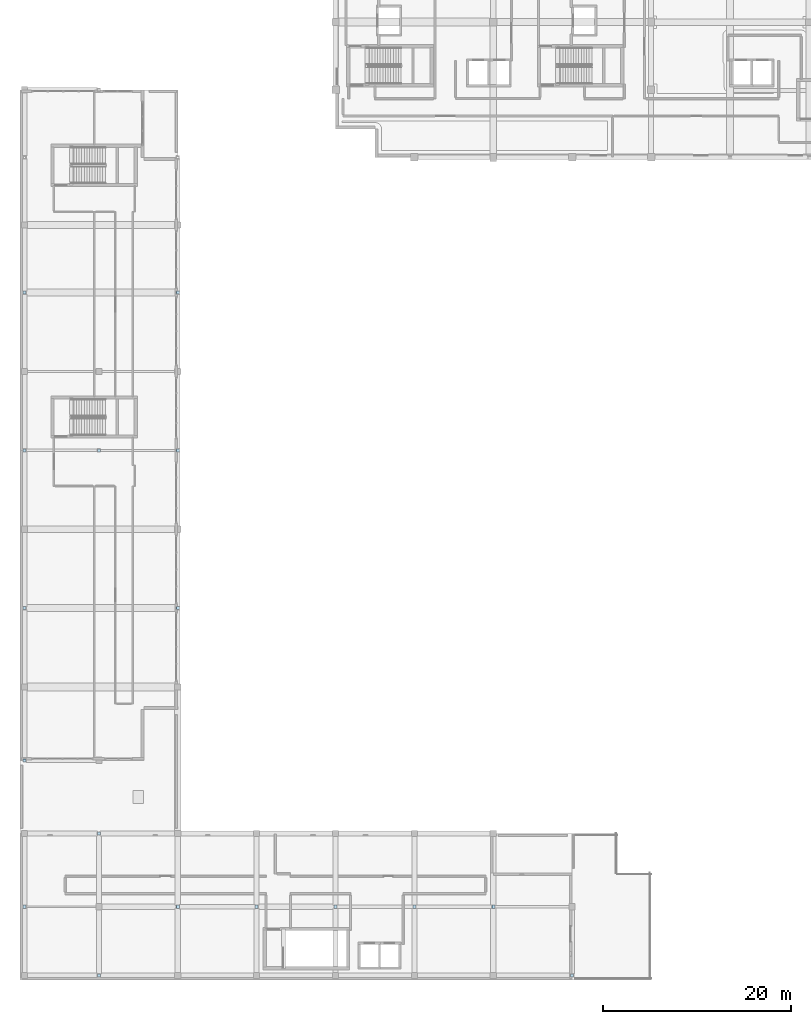
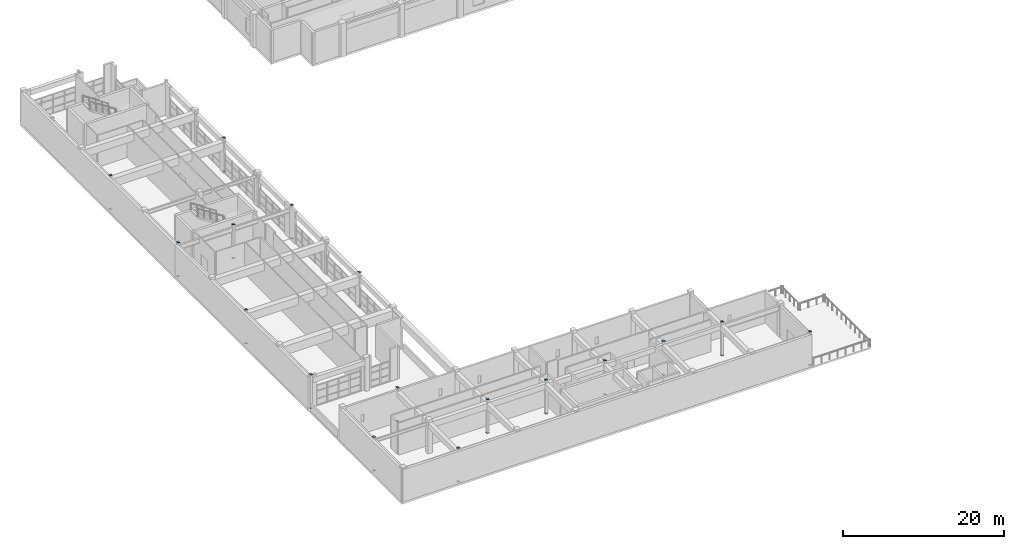
# One storey, part 61 of 78: 34 plates.
"""IFC4 building model written with IfcOpenShell, lengths in metres."""

import ifcopenshell
import ifcopenshell.guid

model = None  # the IFC model being written
_history = None  # IfcOwnerHistory: only IFC2X3 demands one
_inside = {}  # id of a spatial element -> (the spatial element, [elements in it])
_under = {}  # id of a project, library or spatial element -> (it, [spatial elements below it])
_declared = {}  # id of a project -> (the project, [libraries it declares])
_typed = {}  # id of a type object -> (the type object, [elements of that type])
_made_of = {}  # id of a material, layer set ... -> (it, [elements and type objects made of it])


def new_model(schema):
    """Start an empty IFC model of exactly this schema.

    Asked for "IFC4X3", IfcOpenShell would pick the latest addendum, in which some entities
    have other attributes; the version numbers below select the first issue.
    IFC2X3 requires an IfcOwnerHistory on every rooted entity: one is made here for all.
    """
    global model, _history
    if schema == "IFC4X3":
        model = ifcopenshell.file(schema_version=(4, 3, 0, 0))
    else:
        model = ifcopenshell.file(schema=schema)
    _inside.clear()
    _under.clear()
    _declared.clear()
    _typed.clear()
    _made_of.clear()
    _history = None
    if model.schema == "IFC2X3":
        org = make("IfcOrganization", Name="unknown")
        user = make(
            "IfcPersonAndOrganization",
            ThePerson=make("IfcPerson", FamilyName="unknown"),
            TheOrganization=org,
        )
        app = make(
            "IfcApplication",
            ApplicationDeveloper=org,
            Version="unknown",
            ApplicationFullName="unknown",
            ApplicationIdentifier="unknown",
        )
        _history = make(
            "IfcOwnerHistory",
            OwningUser=user,
            OwningApplication=app,
            ChangeAction="ADDED",
            CreationDate=0,
        )
    return model


def make(cls, **values):
    """One entity of the class cls with the attributes given. An attribute that is None is left unset."""
    return model.create_entity(
        cls, **{name: value for name, value in values.items() if value is not None}
    )


def rooted(cls, **values):
    """An entity with a GlobalId (a new one), such as an element, a storey or a relation."""
    return make(cls, GlobalId=ifcopenshell.guid.new(), OwnerHistory=_history, **values)


def si_unit(unit_type, name, prefix=None):
    """IfcSIUnit, for example si_unit("LENGTHUNIT", "METRE", prefix="MILLI")."""
    return make("IfcSIUnit", UnitType=unit_type, Prefix=prefix, Name=name)


def assignment(units):
    """IfcUnitAssignment: the units of a project."""
    return None if units is None else make("IfcUnitAssignment", Units=units)


def point(xyz):
    """IfcCartesianPoint."""
    return None if xyz is None else make("IfcCartesianPoint", Coordinates=xyz)


def direction(xyz):
    """IfcDirection."""
    return None if xyz is None else make("IfcDirection", DirectionRatios=xyz)


def frame(location, z_axis=None, x_axis=None):
    """IfcAxis2Placement3D, a coordinate frame: its origin and axes. An axis left out is left unset."""
    return make(
        "IfcAxis2Placement3D",
        Location=point(location),
        Axis=direction(z_axis),
        RefDirection=direction(x_axis),
    )


def frame_2d(location, x_axis=None):
    """IfcAxis2Placement2D, a coordinate frame in the plane: its origin and x axis."""
    return make(
        "IfcAxis2Placement2D", Location=point(location), RefDirection=direction(x_axis)
    )


def origin():
    """The frame at (0, 0, 0) with its axes left unset."""
    return frame((0.0, 0.0, 0.0))


def origin_2d():
    """The frame at (0, 0) in the plane with its x axis left unset."""
    return frame_2d((0.0, 0.0))


def place(relative_to, where):
    """IfcLocalPlacement: puts the frame where relative to a parent placement (None: the world)."""
    return make(
        "IfcLocalPlacement", PlacementRelTo=relative_to, RelativePlacement=where
    )


def context(
    kind, dimensions, precision=None, world=None, true_north=None, identifier=None
):
    """IfcGeometricRepresentationContext, for example the 3D "Model" context."""
    return make(
        "IfcGeometricRepresentationContext",
        ContextIdentifier=identifier,
        ContextType=kind,
        CoordinateSpaceDimension=dimensions,
        Precision=precision,
        WorldCoordinateSystem=world,
        TrueNorth=true_north,
    )


def subcontext(parent, identifier, kind, view, scale=None):
    """IfcGeometricRepresentationSubContext, for example "Body" below "Model"."""
    return make(
        "IfcGeometricRepresentationSubContext",
        ContextIdentifier=identifier,
        ContextType=kind,
        ParentContext=parent,
        TargetScale=scale,
        TargetView=view,
    )


def project(units=None, contexts=None):
    """IfcProject with its units and contexts."""
    return rooted(
        "IfcProject",
        Name="project",
        RepresentationContexts=contexts,
        UnitsInContext=assignment(units),
    )


def spatial(cls, under=None, at=None, **own):
    """A site, building, storey or space (cls), placed at a placement, below another one or the project."""
    s = rooted(cls, ObjectPlacement=at, **own)
    if under is not None:
        _under.setdefault(under.id(), (under, []))[1].append(s)
    return s


def profile(cls, at=None, kind="AREA", **sizes):
    """A parametric profile (cls). Its sizes go by their IFC names, for example OverallWidth=200.0."""
    return make(cls, ProfileType=kind, Position=at, **sizes)


def rectangle(**sizes):
    """IfcRectangleProfileDef."""
    return profile("IfcRectangleProfileDef", **sizes)


def extrude(swept, where, along, depth):
    """IfcExtrudedAreaSolid: the profile swept, set in the frame where, extruded along a direction by depth."""
    return make(
        "IfcExtrudedAreaSolid",
        SweptArea=swept,
        Position=where,
        ExtrudedDirection=direction(along),
        Depth=depth,
    )


def shape(context_of_items, identifier, shape_type, items):
    """IfcShapeRepresentation: the items that make up one representation, for example the "Body"."""
    return make(
        "IfcShapeRepresentation",
        ContextOfItems=context_of_items,
        RepresentationIdentifier=identifier,
        RepresentationType=shape_type,
        Items=items,
    )


def material(Name=None, Category=None):
    """IfcMaterial."""
    return make("IfcMaterial", Name=Name, Category=Category)


def layer(
    of_material, thickness, ventilated=None, Name=None, Category=None, Priority=None
):
    """IfcMaterialLayer: one layer of a wall or slab, of a material (None: an air gap)."""
    return make(
        "IfcMaterialLayer",
        Material=of_material,
        LayerThickness=thickness,
        IsVentilated=ventilated,
        Name=Name,
        Category=Category,
        Priority=Priority,
    )


def layer_set(layers, Name=None):
    """IfcMaterialLayerSet."""
    return make("IfcMaterialLayerSet", MaterialLayers=layers, LayerSetName=Name)


def made_of(thing, what):
    """Note that an element or type object is made of a material, layer set ...; save() writes the relation."""
    if what is not None:
        _made_of.setdefault(what.id(), (what, []))[1].append(thing)
    return thing


def type_object(cls, material=None, **own):
    """A type object (cls), such as IfcWallType, which elements share."""
    return made_of(rooted(cls, **own), material)


def element(
    cls,
    number,
    at=None,
    inside=None,
    cuts=None,
    type_object=None,
    material=None,
    context=None,
    identifier="Body",
    shape_type=None,
    held_by="IfcProductDefinitionShape",
    body=None,
    shapes=None,
    **own,
):
    """One element of the class cls, such as IfcWall. Its Tag is "e" and its number.

    at: its placement. inside: the storey or other place that contains it. cuts: it is an
    opening in that element (IfcRelVoidsElement). A single representation is given by context,
    identifier, shape_type and body (its items); several are given by shapes. held_by: the class
    of the entity that holds the representations. save() writes the other relations.
    """
    e = rooted(cls, Tag="e%d" % number, ObjectPlacement=at, **own)
    if body is not None:
        shapes = [shape(context, identifier, shape_type, body)]
    if shapes is not None:
        e.Representation = make(held_by, Representations=shapes)
    if inside is not None:
        _inside.setdefault(inside.id(), (inside, []))[1].append(e)
    if cuts is not None:
        rooted(
            "IfcRelVoidsElement", RelatingBuildingElement=cuts, RelatedOpeningElement=e
        )
    if type_object is not None:
        _typed.setdefault(type_object.id(), (type_object, []))[1].append(e)
    return made_of(e, material)


def aggregate(whole, parts):
    """IfcRelAggregates: a whole, such as a stair, and the parts it consists of."""
    return rooted("IfcRelAggregates", RelatingObject=whole, RelatedObjects=parts)


def save(model, path):
    """Write the relations noted so far, then the file.

    IfcRelAggregates (storeys below a building ...), IfcRelContainedInSpatialStructure (elements
    in a storey), IfcRelDefinesByType, IfcRelAssociatesMaterial and IfcRelDeclares: one each for
    every whole, place, type object, material and project.
    """
    for whole, parts in _under.values():
        aggregate(whole, parts)
    for where, things in _inside.values():
        rooted(
            "IfcRelContainedInSpatialStructure",
            RelatedElements=things,
            RelatingStructure=where,
        )
    for kind, things in _typed.values():
        rooted("IfcRelDefinesByType", RelatedObjects=things, RelatingType=kind)
    for what, things in _made_of.values():
        rooted("IfcRelAssociatesMaterial", RelatedObjects=things, RelatingMaterial=what)
    for by, libraries in _declared.values():
        rooted("IfcRelDeclares", RelatingContext=by, RelatedDefinitions=libraries)
    model.write(path)


model = new_model("IFC4")

# Units and contexts
model_context = context("Model", 3, precision=1e-05, world=origin(), true_north=direction((0.0, 1.0)))
body_context = subcontext(model_context, "Body", "Model", "MODEL_VIEW")
ifc_project = project(units=[si_unit("LENGTHUNIT", "METRE"), si_unit("AREAUNIT", "SQUARE_METRE"), si_unit("VOLUMEUNIT", "CUBIC_METRE"), si_unit("PLANEANGLEUNIT", "RADIAN"), si_unit("MASSUNIT", "GRAM", prefix="KILO")], contexts=[model_context])

# Site, building, storey
site_placement = place(None, origin())
site = spatial("IfcSite", under=ifc_project, at=site_placement, CompositionType="ELEMENT")
building_placement = place(site_placement, origin())
building = spatial("IfcBuilding", under=site, at=building_placement, Name="Quendrovan Civic Courthouse", CompositionType="ELEMENT")
storey_placement = place(building_placement, frame((0.0, 0.0, 20.39990234375)))
storey = spatial("IfcBuildingStorey", under=building, at=storey_placement, Name="L05", CompositionType="ELEMENT", Elevation=20.39990234375)

# Plates
ifc_material = material(Name="Steel ASTM A572 Grade 50", Category="steel")
ifc_layer = layer(ifc_material, 0.011962890625, Name="Steel ASTM A572 Grade 50")
ifc_layer_set = layer_set([ifc_layer], Name="Steel ASTM A572 Grade 50")
plate_type = type_object("IfcPlateType", Name="PLT-CAP-12", PredefinedType="SHEET", material=ifc_layer_set)
for number, where, z_axis, x_axis, name in (
    (1, (0.5, 7.800048828125, 5.10009765625), (0.0, 0.0, 1.0), (1.0, 0.0, 0.0), "L05 Hollow Column End Cap Plate COL-L05-1-B-TOP"),
    (2, (0.5, 7.800048828125, -0.01171875), (0.0, 0.0, 1.0), (1.0, 0.0, 0.0), "L05 Hollow Column End Cap Plate COL-L05-1-B-BOT"),
    (3, (0.5, 23.39990234375, 5.10009765625), (0.0, 0.0, 1.0), (1.0, 0.0, 0.0), "L05 Hollow Column End Cap Plate COL-L05-1-D-TOP"),
    (4, (0.5, 23.39990234375, -0.01171875), (0.0, 0.0, 1.0), (1.0, 0.0, 0.0), "L05 Hollow Column End Cap Plate COL-L05-1-D-BOT"),
    (5, (0.5, 39.60009765625, 5.10009765625), (0.0, 0.0, 1.0), (1.0, 0.0, 0.0), "L05 Hollow Column End Cap Plate COL-L05-1-F-TOP"),
    (6, (0.5, 39.60009765625, -0.01171875), (0.0, 0.0, 1.0), (1.0, 0.0, 0.0), "L05 Hollow Column End Cap Plate COL-L05-1-F-BOT"),
    (7, (0.5, 56.39990234375, 5.10009765625), (0.0, 0.0, 1.0), (1.0, 0.0, 0.0), "L05 Hollow Column End Cap Plate COL-L05-1-H-TOP"),
    (8, (0.5, 56.39990234375, -0.01171875), (0.0, 0.0, 1.0), (1.0, 0.0, 0.0), "L05 Hollow Column End Cap Plate COL-L05-1-H-BOT"),
    (9, (0.5, 73.199951171875, 5.10009765625), (0.0, 0.0, 1.0), (1.0, 0.0, 0.0), "L05 Hollow Column End Cap Plate COL-L05-1-K-TOP"),
    (10, (0.5, 73.199951171875, -0.01171875), (0.0, 0.0, 1.0), (1.0, 0.0, 0.0), "L05 Hollow Column End Cap Plate COL-L05-1-K-BOT"),
    (11, (8.39990234375, 0.5, 5.10009765625), (0.0, 0.0, 1.0), (1.0, 0.0, 0.0), "L05 Hollow Column End Cap Plate COL-L05-2-A-TOP"),
    (12, (8.39990234375, 0.5, -0.01171875), (0.0, 0.0, 1.0), (1.0, 0.0, 0.0), "L05 Hollow Column End Cap Plate COL-L05-2-A-BOT"),
    (13, (8.39990234375, 15.60009765625, 5.10009765625), (0.0, 0.0, 1.0), (1.0, 0.0, 0.0), "L05 Hollow Column End Cap Plate COL-L05-2-C-TOP"),
    (14, (8.39990234375, 15.60009765625, -0.01171875), (0.0, 0.0, 1.0), (1.0, 0.0, 0.0), "L05 Hollow Column End Cap Plate COL-L05-2-C-BOT"),
    (15, (8.39990234375, 56.39990234375, 5.10009765625), (0.0, 0.0, 1.0), (1.0, 0.0, 0.0), "L05 Hollow Column End Cap Plate COL-L05-2-H-TOP"),
    (16, (8.39990234375, 56.39990234375, -0.01171875), (0.0, 0.0, 1.0), (1.0, 0.0, 0.0), "L05 Hollow Column End Cap Plate COL-L05-2-H-BOT"),
    (17, (16.800048828125, 7.800048828125, 5.10009765625), (0.0, 0.0, 1.0), (1.0, 0.0, 0.0), "L05 Hollow Column End Cap Plate COL-L05-3-B-TOP"),
    (18, (16.800048828125, 7.800048828125, -0.01171875), (0.0, 0.0, 1.0), (1.0, 0.0, 0.0), "L05 Hollow Column End Cap Plate COL-L05-3-B-BOT"),
    (19, (16.800048828125, 39.60009765625, 5.10009765625), (0.0, 0.0, 1.0), (1.0, 0.0, 0.0), "L05 Hollow Column End Cap Plate COL-L05-3-F-TOP"),
    (20, (16.800048828125, 39.60009765625, -0.01171875), (0.0, 0.0, 1.0), (1.0, 0.0, 0.0), "L05 Hollow Column End Cap Plate COL-L05-3-F-BOT"),
    (21, (16.800048828125, 56.39990234375, 5.10009765625), (0.0, 0.0, 1.0), (1.0, 0.0, 0.0), "L05 Hollow Column End Cap Plate COL-L05-3-H-TOP"),
    (22, (16.800048828125, 56.39990234375, -0.01171875), (0.0, 0.0, 1.0), (1.0, 0.0, 0.0), "L05 Hollow Column End Cap Plate COL-L05-3-H-BOT"),
    (23, (16.800048828125, 73.199951171875, 5.10009765625), (0.0, 0.0, 1.0), (1.0, 0.0, 0.0), "L05 Hollow Column End Cap Plate COL-L05-3-K-TOP"),
    (24, (16.800048828125, 73.199951171875, -0.01171875), (0.0, 0.0, 1.0), (1.0, 0.0, 0.0), "L05 Hollow Column End Cap Plate COL-L05-3-K-BOT"),
    (25, (25.199951171875, 7.800048828125, 5.10009765625), (0.0, 0.0, 1.0), (1.0, 0.0, 0.0), "L05 Hollow Column End Cap Plate COL-L05-4-B-TOP"),
    (26, (25.199951171875, 7.800048828125, -0.01171875), (0.0, 0.0, 1.0), (1.0, 0.0, 0.0), "L05 Hollow Column End Cap Plate COL-L05-4-B-BOT"),
    (27, (33.60009765625, 7.800048828125, 5.10009765625), (0.0, 0.0, 1.0), (1.0, 0.0, 0.0), "L05 Hollow Column End Cap Plate COL-L05-5-B-TOP"),
    (28, (33.60009765625, 7.800048828125, -0.01171875), (0.0, 0.0, 1.0), (1.0, 0.0, 0.0), "L05 Hollow Column End Cap Plate COL-L05-5-B-BOT"),
    (29, (42.0, 7.800048828125, 5.10009765625), (0.0, 0.0, 1.0), (1.0, 0.0, 0.0), "L05 Hollow Column End Cap Plate COL-L05-6-B-TOP"),
    (30, (42.0, 7.800048828125, -0.01171875), (0.0, 0.0, 1.0), (1.0, 0.0, 0.0), "L05 Hollow Column End Cap Plate COL-L05-6-B-BOT"),
    (31, (50.39990234375, 7.800048828125, 5.10009765625), (0.0, 0.0, 1.0), (1.0, 0.0, 0.0), "L05 Hollow Column End Cap Plate COL-L05-7-B-TOP"),
    (32, (50.39990234375, 7.800048828125, -0.01171875), (0.0, 0.0, 1.0), (1.0, 0.0, 0.0), "L05 Hollow Column End Cap Plate COL-L05-7-B-BOT"),
    (33, (58.800048828125, 0.5, 5.10009765625), (0.0, 0.0, 1.0), (1.0, 0.0, 0.0), "L05 Hollow Column End Cap Plate COL-L05-8-A-TOP"),
    (34, (58.800048828125, 0.5, -0.01171875), (0.0, 0.0, 1.0), (1.0, 0.0, 0.0), "L05 Hollow Column End Cap Plate COL-L05-8-A-BOT"),
):
    element("IfcPlate", number, at=place(storey_placement, frame(where, z_axis=z_axis, x_axis=x_axis)), inside=storey, type_object=plate_type, Name=name, PredefinedType="SHEET", context=body_context, shape_type="SweptSolid", body=[
        extrude(rectangle(XDim=0.320068359375, YDim=0.320068359375, at=origin_2d()), origin(), (0.0, 0.0, 1.0), 0.011962890625),
    ])

save(model, "model.ifc")
